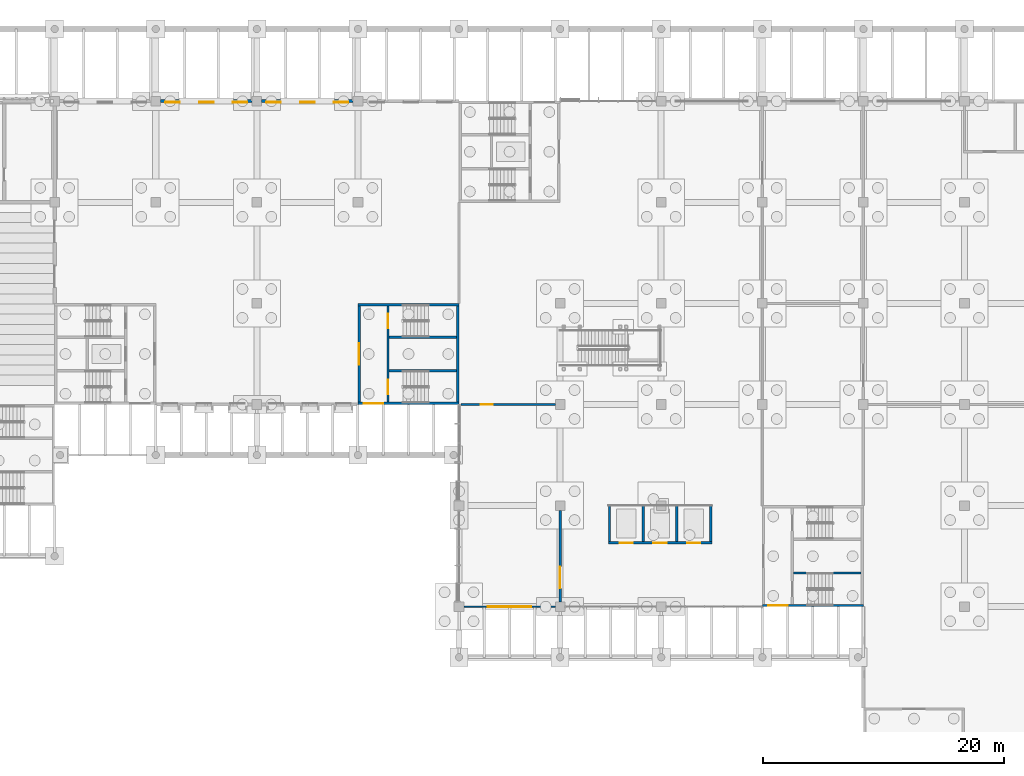
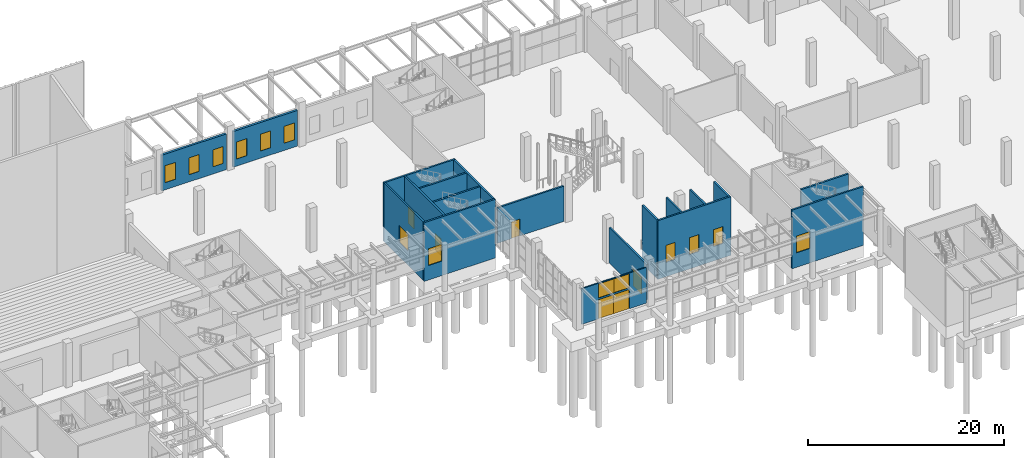
# One storey, part 36 of 82: 19 walls, 12 doors, 8 windows, 20 openings.
"""IFC4 building model written with IfcOpenShell, lengths in metres."""

from ifc_helpers import new_model, si_unit, direction, frame, frame_2d, origin, place, context, subcontext, project, spatial, rectangle, extrude, material, layer, layer_set, type_object, element, fill, save


model = new_model("IFC4")

# Units and contexts
model_context = context("Model", 3, precision=1e-05, world=origin(), true_north=direction((0.0, 1.0)))
body_context = subcontext(model_context, "Body", "Model", "MODEL_VIEW")
ifc_project = project(units=[si_unit("LENGTHUNIT", "METRE"), si_unit("AREAUNIT", "SQUARE_METRE"), si_unit("VOLUMEUNIT", "CUBIC_METRE"), si_unit("PLANEANGLEUNIT", "RADIAN"), si_unit("MASSUNIT", "GRAM", prefix="KILO")], contexts=[model_context])

# Site, building, storey
site_placement = place(None, origin())
site = spatial("IfcSite", under=ifc_project, at=site_placement, CompositionType="ELEMENT")
building_placement = place(site_placement, origin())
building = spatial("IfcBuilding", under=site, at=building_placement, Name="Almond Square Museum", CompositionType="ELEMENT")
storey_placement = place(building_placement, origin())
storey = spatial("IfcBuildingStorey", under=building, at=storey_placement, Name="L00", CompositionType="ELEMENT", Elevation=0.0)

# Wall, opening, door
ifc_material_1 = material(Name="Concrete blockwork 200", Category="masonry")
ifc_layer_1 = layer(ifc_material_1, 0.199951171875)
ifc_layer_set_1 = layer_set([ifc_layer_1], Name="Concrete blockwork 200")
wall_type_1 = type_object("IfcWallType", Name="Fire partition 200 blockwork", PredefinedType="PARTITIONING", material=ifc_layer_set_1)
wall_1_placement = place(storey_placement, frame((73.35009765625, 84.0, 0.0), z_axis=(0.0, 0.0, 1.0), x_axis=(1.0, 0.0, 0.0)))
wall_1 = element("IfcWall", 1, at=wall_1_placement, inside=storey, type_object=wall_type_1, Name="L00 partition 31", PredefinedType="PARTITIONING", context=body_context, shape_type="SweptSolid", body=[
    extrude(rectangle(XDim=7.849853515625, YDim=0.199951171875, at=frame_2d((3.9248046875, 0.0))), origin(), (0.0, 0.0, 1.0), 4.39990234375),
])
opening_1_placement = place(wall_1_placement, frame((1.64990234375, 0.0, 0.0)))
opening_1 = element("IfcOpeningElement", 2, at=opening_1_placement, cuts=wall_1, Name="Opening D0108", PredefinedType="OPENING", context=body_context, shape_type="SweptSolid", body=[
    extrude(rectangle(XDim=1.0, YDim=2.10009765625, at=frame_2d((0.5, 1.050048828125))), frame((0.0, 0.10986328125, 0.0), z_axis=(0.0, -1.0, 0.0), x_axis=(1.0, 0.0, 0.0)), (0.0, 0.0, 1.0), 0.219970703125),
])
ifc_material_2 = material(Name="Steel", Category="steel")
door_type_1 = type_object("IfcDoorType", Name="Fire door 1000 x 2100 FD60 single", OperationType="NOTDEFINED", PredefinedType="DOOR", material=ifc_material_2)
door_1_placement = place(opening_1_placement, origin())
door_1 = element("IfcDoor", 3, at=door_1_placement, inside=storey, type_object=door_type_1, Name="L00 door Cafe Kitchen to Cafe", OperationType="SINGLE_SWING_LEFT", OverallHeight=2.10009765625, OverallWidth=1.0, PredefinedType="DOOR", context=body_context, shape_type="SweptSolid", body=[
    extrude(rectangle(XDim=1.0, YDim=2.10009765625, at=frame_2d((0.5, 1.050048828125))), frame((0.0, 0.02490234375, 0.0), z_axis=(0.0, -1.0, 0.0), x_axis=(1.0, 0.0, 0.0)), (0.0, 0.0, 1.0), 0.050048828125),
])
fill(opening_1, door_1)

wall_2_placement = place(storey_placement, frame((81.60009765625, 67.60009765625, 0.0), z_axis=(0.0, 0.0, 1.0), x_axis=(0.0, 1.0, 0.0)))
wall_2 = element("IfcWall", 4, at=wall_2_placement, inside=storey, type_object=wall_type_1, Name="L00 partition 35", PredefinedType="PARTITIONING", context=body_context, shape_type="SweptSolid", body=[
    extrude(rectangle(XDim=7.599853515625, YDim=0.199951171875, at=frame_2d((3.7998046875, 0.0))), origin(), (0.0, 0.0, 1.0), 4.39990234375),
])
opening_2_placement = place(wall_2_placement, frame((1.125, 0.0, 0.0)))
opening_2 = element("IfcOpeningElement", 5, at=opening_2_placement, cuts=wall_2, Name="Opening D0110", PredefinedType="OPENING", context=body_context, shape_type="SweptSolid", body=[
    extrude(rectangle(XDim=1.800048828125, YDim=2.10009765625, at=frame_2d((0.89990234375, 1.050048828125))), frame((0.0, 0.10986328125, 0.0), z_axis=(0.0, -1.0, 0.0), x_axis=(1.0, 0.0, 0.0)), (0.0, 0.0, 1.0), 0.219970703125),
])
ifc_material_3 = material(Name="Steel", Category="steel")
door_type_2 = type_object("IfcDoorType", Name="Fire door 1800 x 2100 FD60 double", OperationType="NOTDEFINED", PredefinedType="DOOR", material=ifc_material_3)
door_2_placement = place(opening_2_placement, origin())
door_2 = element("IfcDoor", 6, at=door_2_placement, inside=storey, type_object=door_type_2, Name="L00 door Cafe to Atrium Lobby 2", OperationType="DOUBLE_DOOR_SINGLE_SWING", OverallHeight=2.10009765625, OverallWidth=1.800048828125, PredefinedType="DOOR", context=body_context, shape_type="SweptSolid", body=[
    extrude(rectangle(XDim=1.800048828125, YDim=2.10009765625, at=frame_2d((0.89990234375, 1.050048828125))), frame((0.0, 0.02490234375, 0.0), z_axis=(0.0, -1.0, 0.0), x_axis=(1.0, 0.0, 0.0)), (0.0, 0.0, 1.0), 0.050048828125),
])
fill(opening_2, door_2)

# Wall, openings, windows, doors
ifc_material_4 = material(Name="Aluminium and laminated glass", Category="aluminium")
ifc_layer_2 = layer(ifc_material_4, 0.14990234375)
ifc_layer_set_2 = layer_set([ifc_layer_2], Name="Aluminium and laminated glass")
wall_type_2 = type_object("IfcWallType", Name="Glazed entrance screen 150", PredefinedType="ELEMENTEDWALL", material=ifc_layer_set_2)
wall_3_placement = place(storey_placement, frame((73.60009765625, 67.199951171875, 0.0), z_axis=(0.0, 0.0, 1.0), x_axis=(1.0, 0.0, 0.0)))
wall_3 = element("IfcWall", 7, at=wall_3_placement, inside=storey, type_object=wall_type_2, Name="External wall W6 V2 L00 S01", PredefinedType="ELEMENTEDWALL", context=body_context, shape_type="SweptSolid", body=[
    extrude(rectangle(XDim=7.599853515625, YDim=0.14990234375, at=frame_2d((3.7998046875, 0.0))), origin(), (0.0, 0.0, 1.0), 4.43994140625),
])
opening_3_placement = place(wall_3_placement, frame((2.0, 0.0, 0.0)))
opening_3 = element("IfcOpeningElement", 8, at=opening_3_placement, cuts=wall_3, Name="Opening D008", PredefinedType="OPENING", context=body_context, shape_type="SweptSolid", body=[
    extrude(rectangle(XDim=1.800048828125, YDim=2.39990234375, at=frame_2d((0.89990234375, 1.199951171875))), frame((0.0, 0.0849609375, 0.0), z_axis=(0.0, -1.0, 0.0), x_axis=(1.0, 0.0, 0.0)), (0.0, 0.0, 1.0), 0.169921875),
])
opening_4_placement = place(wall_3_placement, frame((2.0, 0.0, 2.60009765625)))
opening_4 = element("IfcOpeningElement", 9, at=opening_4_placement, cuts=wall_3, Name="Opening W0057", PredefinedType="OPENING", context=body_context, shape_type="SweptSolid", body=[
    extrude(rectangle(XDim=1.800048828125, YDim=1.739990234375, at=frame_2d((0.89990234375, 0.8701171875))), frame((0.0, 0.0849609375, 0.0), z_axis=(0.0, -1.0, 0.0), x_axis=(1.0, 0.0, 0.0)), (0.0, 0.0, 1.0), 0.169921875),
])
opening_5_placement = place(wall_3_placement, frame((3.800048828125, 0.0, 0.0)))
opening_5 = element("IfcOpeningElement", 10, at=opening_5_placement, cuts=wall_3, Name="Opening D009", PredefinedType="OPENING", context=body_context, shape_type="SweptSolid", body=[
    extrude(rectangle(XDim=1.800048828125, YDim=2.39990234375, at=frame_2d((0.89990234375, 1.199951171875))), frame((0.0, 0.0849609375, 0.0), z_axis=(0.0, -1.0, 0.0), x_axis=(1.0, 0.0, 0.0)), (0.0, 0.0, 1.0), 0.169921875),
])
opening_6_placement = place(wall_3_placement, frame((3.800048828125, 0.0, 2.60009765625)))
opening_6 = element("IfcOpeningElement", 11, at=opening_6_placement, cuts=wall_3, Name="Opening W0058", PredefinedType="OPENING", context=body_context, shape_type="SweptSolid", body=[
    extrude(rectangle(XDim=1.800048828125, YDim=1.739990234375, at=frame_2d((0.89990234375, 0.8701171875))), frame((0.0, 0.0849609375, 0.0), z_axis=(0.0, -1.0, 0.0), x_axis=(1.0, 0.0, 0.0)), (0.0, 0.0, 1.0), 0.169921875),
])
ifc_material_5 = material(Name="Aluminium frame and laminated glass", Category="aluminium")
window_type_1 = type_object("IfcWindowType", Name="Entrance fanlight 1740 high", PartitioningType="SINGLE_PANEL", PredefinedType="WINDOW", material=ifc_material_5)
window_1_placement = place(opening_4_placement, origin())
window_1 = element("IfcWindow", 12, at=window_1_placement, inside=storey, type_object=window_type_1, Name="Entrance fanlight W0057", OverallHeight=1.739990234375, OverallWidth=1.800048828125, PartitioningType="SINGLE_PANEL", PredefinedType="WINDOW", context=body_context, shape_type="SweptSolid", body=[
    extrude(rectangle(XDim=1.800048828125, YDim=1.739990234375, at=frame_2d((0.89990234375, 0.8701171875))), frame((0.0, 0.030029296875, 0.0), z_axis=(0.0, -1.0, 0.0), x_axis=(1.0, 0.0, 0.0)), (0.0, 0.0, 1.0), 0.06005859375),
])
fill(opening_4, window_1)
window_2_placement = place(opening_6_placement, origin())
window_2 = element("IfcWindow", 13, at=window_2_placement, inside=storey, type_object=window_type_1, Name="Entrance fanlight W0058", OverallHeight=1.739990234375, OverallWidth=1.800048828125, PartitioningType="SINGLE_PANEL", PredefinedType="WINDOW", context=body_context, shape_type="SweptSolid", body=[
    extrude(rectangle(XDim=1.800048828125, YDim=1.739990234375, at=frame_2d((0.89990234375, 0.8701171875))), frame((0.0, 0.030029296875, 0.0), z_axis=(0.0, -1.0, 0.0), x_axis=(1.0, 0.0, 0.0)), (0.0, 0.0, 1.0), 0.06005859375),
])
fill(opening_6, window_2)
ifc_material_6 = material(Name="Aluminium frame and laminated glass", Category="aluminium")
door_type_3 = type_object("IfcDoorType", Name="Glazed entrance door pair 1800 x 2400", OperationType="NOTDEFINED", PredefinedType="DOOR", material=ifc_material_6)
door_3_placement = place(opening_3_placement, origin())
door_3 = element("IfcDoor", 14, at=door_3_placement, inside=storey, type_object=door_type_3, Name="Court Cafe Entrance door D008", OperationType="DOUBLE_DOOR_SINGLE_SWING", OverallHeight=2.39990234375, OverallWidth=1.800048828125, PredefinedType="DOOR", context=body_context, shape_type="SweptSolid", body=[
    extrude(rectangle(XDim=1.800048828125, YDim=2.39990234375, at=frame_2d((0.89990234375, 1.199951171875))), frame((0.0, 0.02490234375, 0.0), z_axis=(0.0, -1.0, 0.0), x_axis=(1.0, 0.0, 0.0)), (0.0, 0.0, 1.0), 0.050048828125),
])
fill(opening_3, door_3)
door_4_placement = place(opening_5_placement, origin())
door_4 = element("IfcDoor", 15, at=door_4_placement, inside=storey, type_object=door_type_3, Name="Court Cafe Entrance door D009", OperationType="DOUBLE_DOOR_SINGLE_SWING", OverallHeight=2.39990234375, OverallWidth=1.800048828125, PredefinedType="DOOR", context=body_context, shape_type="SweptSolid", body=[
    extrude(rectangle(XDim=1.800048828125, YDim=2.39990234375, at=frame_2d((0.89990234375, 1.199951171875))), frame((0.0, 0.02490234375, 0.0), z_axis=(0.0, -1.0, 0.0), x_axis=(1.0, 0.0, 0.0)), (0.0, 0.0, 1.0), 0.050048828125),
])
fill(opening_5, door_4)

# Wall, openings, windows
ifc_material_7 = material(Name="Precast concrete C40/50", Category="concrete")
ifc_layer_3 = layer(ifc_material_7, 0.25)
ifc_layer_set_3 = layer_set([ifc_layer_3], Name="Precast concrete C40/50")
wall_type_3 = type_object("IfcWallType", Name="Precast concrete panel wall 250 with coral limestone piers", PredefinedType="SOLIDWALL", material=ifc_layer_set_3)
wall_4_placement = place(storey_placement, frame((56.800048828125, 109.199951171875, 0.0), z_axis=(0.0, 0.0, 1.0), x_axis=(1.0, 0.0, 0.0)))
wall_4 = element("IfcWall", 16, at=wall_4_placement, inside=storey, type_object=wall_type_3, Name="External wall W2 V4N L00 N02", PredefinedType="SOLIDWALL", context=body_context, shape_type="SweptSolid", body=[
    extrude(rectangle(XDim=7.599853515625, YDim=0.25, at=frame_2d((3.7998046875, 0.0))), origin(), (0.0, 0.0, 1.0), 4.43994140625),
])
opening_7_placement = place(wall_4_placement, frame((0.39990234375, 0.0, 0.89990234375)))
opening_7 = element("IfcOpeningElement", 17, at=opening_7_placement, cuts=wall_4, Name="Opening W0106", PredefinedType="OPENING", context=body_context, shape_type="SweptSolid", body=[
    extrude(rectangle(XDim=1.199951171875, YDim=2.10009765625, at=frame_2d((0.60009765625, 1.050048828125))), frame((0.0, 0.135009765625, 0.0), z_axis=(0.0, -1.0, 0.0), x_axis=(1.0, 0.0, 0.0)), (0.0, 0.0, 1.0), 0.27001953125),
])
opening_8_placement = place(wall_4_placement, frame((3.199951171875, 0.0, 0.89990234375)))
opening_8 = element("IfcOpeningElement", 18, at=opening_8_placement, cuts=wall_4, Name="Opening W0107", PredefinedType="OPENING", context=body_context, shape_type="SweptSolid", body=[
    extrude(rectangle(XDim=1.199951171875, YDim=2.10009765625, at=frame_2d((0.60009765625, 1.050048828125))), frame((0.0, 0.135009765625, 0.0), z_axis=(0.0, -1.0, 0.0), x_axis=(1.0, 0.0, 0.0)), (0.0, 0.0, 1.0), 0.27001953125),
])
opening_9_placement = place(wall_4_placement, frame((6.0, 0.0, 0.89990234375)))
opening_9 = element("IfcOpeningElement", 19, at=opening_9_placement, cuts=wall_4, Name="Opening W0108", PredefinedType="OPENING", context=body_context, shape_type="SweptSolid", body=[
    extrude(rectangle(XDim=1.199951171875, YDim=2.10009765625, at=frame_2d((0.60009765625, 1.050048828125))), frame((0.0, 0.135009765625, 0.0), z_axis=(0.0, -1.0, 0.0), x_axis=(1.0, 0.0, 0.0)), (0.0, 0.0, 1.0), 0.27001953125),
])
ifc_material_8 = material(Name="Anodised aluminium louvre and laminated glass", Category="aluminium")
window_type_2 = type_object("IfcWindowType", Name="Louvred pier window", PartitioningType="SINGLE_PANEL", PredefinedType="WINDOW", material=ifc_material_8)
window_3_placement = place(opening_7_placement, origin())
window_3 = element("IfcWindow", 20, at=window_3_placement, inside=storey, type_object=window_type_2, Name="Louvred pier window W0106", OverallHeight=2.10009765625, OverallWidth=1.199951171875, PartitioningType="SINGLE_PANEL", PredefinedType="WINDOW", context=body_context, shape_type="SweptSolid", body=[
    extrude(rectangle(XDim=1.199951171875, YDim=2.10009765625, at=frame_2d((0.60009765625, 1.050048828125))), frame((0.0, -0.044921875, 0.0), z_axis=(0.0, -1.0, 0.0), x_axis=(1.0, 0.0, 0.0)), (0.0, 0.0, 1.0), 0.06005859375),
])
fill(opening_7, window_3)
window_4_placement = place(opening_8_placement, origin())
window_4 = element("IfcWindow", 21, at=window_4_placement, inside=storey, type_object=window_type_2, Name="Louvred pier window W0107", OverallHeight=2.10009765625, OverallWidth=1.199951171875, PartitioningType="SINGLE_PANEL", PredefinedType="WINDOW", context=body_context, shape_type="SweptSolid", body=[
    extrude(rectangle(XDim=1.199951171875, YDim=2.10009765625, at=frame_2d((0.60009765625, 1.050048828125))), frame((0.0, -0.044921875, 0.0), z_axis=(0.0, -1.0, 0.0), x_axis=(1.0, 0.0, 0.0)), (0.0, 0.0, 1.0), 0.06005859375),
])
fill(opening_8, window_4)
window_5_placement = place(opening_9_placement, origin())
window_5 = element("IfcWindow", 22, at=window_5_placement, inside=storey, type_object=window_type_2, Name="Louvred pier window W0108", OverallHeight=2.10009765625, OverallWidth=1.199951171875, PartitioningType="SINGLE_PANEL", PredefinedType="WINDOW", context=body_context, shape_type="SweptSolid", body=[
    extrude(rectangle(XDim=1.199951171875, YDim=2.10009765625, at=frame_2d((0.60009765625, 1.050048828125))), frame((0.0, -0.044921875, 0.0), z_axis=(0.0, -1.0, 0.0), x_axis=(1.0, 0.0, 0.0)), (0.0, 0.0, 1.0), 0.06005859375),
])
fill(opening_9, window_5)

wall_5_placement = place(storey_placement, frame((48.39990234375, 109.199951171875, 0.0), z_axis=(0.0, 0.0, 1.0), x_axis=(1.0, 0.0, 0.0)))
wall_5 = element("IfcWall", 23, at=wall_5_placement, inside=storey, type_object=wall_type_3, Name="External wall W2 V4N L00 N03", PredefinedType="SOLIDWALL", context=body_context, shape_type="SweptSolid", body=[
    extrude(rectangle(XDim=7.60009765625, YDim=0.25, at=frame_2d((3.800048828125, 0.0))), origin(), (0.0, 0.0, 1.0), 4.43994140625),
])
opening_10_placement = place(wall_5_placement, frame((0.39990234375, 0.0, 0.89990234375)))
opening_10 = element("IfcOpeningElement", 24, at=opening_10_placement, cuts=wall_5, Name="Opening W0109", PredefinedType="OPENING", context=body_context, shape_type="SweptSolid", body=[
    extrude(rectangle(XDim=1.199951171875, YDim=2.10009765625, at=frame_2d((0.60009765625, 1.050048828125))), frame((0.0, 0.135009765625, 0.0), z_axis=(0.0, -1.0, 0.0), x_axis=(1.0, 0.0, 0.0)), (0.0, 0.0, 1.0), 0.27001953125),
])
opening_11_placement = place(wall_5_placement, frame((3.199951171875, 0.0, 0.89990234375)))
opening_11 = element("IfcOpeningElement", 25, at=opening_11_placement, cuts=wall_5, Name="Opening W0110", PredefinedType="OPENING", context=body_context, shape_type="SweptSolid", body=[
    extrude(rectangle(XDim=1.199951171875, YDim=2.10009765625, at=frame_2d((0.60009765625, 1.050048828125))), frame((0.0, 0.135009765625, 0.0), z_axis=(0.0, -1.0, 0.0), x_axis=(1.0, 0.0, 0.0)), (0.0, 0.0, 1.0), 0.27001953125),
])
opening_12_placement = place(wall_5_placement, frame((6.0, 0.0, 0.89990234375)))
opening_12 = element("IfcOpeningElement", 26, at=opening_12_placement, cuts=wall_5, Name="Opening W0111", PredefinedType="OPENING", context=body_context, shape_type="SweptSolid", body=[
    extrude(rectangle(XDim=1.199951171875, YDim=2.10009765625, at=frame_2d((0.60009765625, 1.050048828125))), frame((0.0, 0.135009765625, 0.0), z_axis=(0.0, -1.0, 0.0), x_axis=(1.0, 0.0, 0.0)), (0.0, 0.0, 1.0), 0.27001953125),
])
window_6_placement = place(opening_10_placement, origin())
window_6 = element("IfcWindow", 27, at=window_6_placement, inside=storey, type_object=window_type_2, Name="Louvred pier window W0109", OverallHeight=2.10009765625, OverallWidth=1.199951171875, PartitioningType="SINGLE_PANEL", PredefinedType="WINDOW", context=body_context, shape_type="SweptSolid", body=[
    extrude(rectangle(XDim=1.199951171875, YDim=2.10009765625, at=frame_2d((0.60009765625, 1.050048828125))), frame((0.0, -0.044921875, 0.0), z_axis=(0.0, -1.0, 0.0), x_axis=(1.0, 0.0, 0.0)), (0.0, 0.0, 1.0), 0.06005859375),
])
fill(opening_10, window_6)
window_7_placement = place(opening_11_placement, origin())
window_7 = element("IfcWindow", 28, at=window_7_placement, inside=storey, type_object=window_type_2, Name="Louvred pier window W0110", OverallHeight=2.10009765625, OverallWidth=1.199951171875, PartitioningType="SINGLE_PANEL", PredefinedType="WINDOW", context=body_context, shape_type="SweptSolid", body=[
    extrude(rectangle(XDim=1.199951171875, YDim=2.10009765625, at=frame_2d((0.60009765625, 1.050048828125))), frame((0.0, -0.044921875, 0.0), z_axis=(0.0, -1.0, 0.0), x_axis=(1.0, 0.0, 0.0)), (0.0, 0.0, 1.0), 0.06005859375),
])
fill(opening_11, window_7)
window_8_placement = place(opening_12_placement, origin())
window_8 = element("IfcWindow", 29, at=window_8_placement, inside=storey, type_object=window_type_2, Name="Louvred pier window W0111", OverallHeight=2.10009765625, OverallWidth=1.199951171875, PartitioningType="SINGLE_PANEL", PredefinedType="WINDOW", context=body_context, shape_type="SweptSolid", body=[
    extrude(rectangle(XDim=1.199951171875, YDim=2.10009765625, at=frame_2d((0.60009765625, 1.050048828125))), frame((0.0, -0.044921875, 0.0), z_axis=(0.0, -1.0, 0.0), x_axis=(1.0, 0.0, 0.0)), (0.0, 0.0, 1.0), 0.06005859375),
])
fill(opening_12, window_8)

# Wall, opening, door
ifc_material_9 = material(Name="Concrete C40/50", Category="concrete")
ifc_layer_4 = layer(ifc_material_9, 0.199951171875)
ifc_layer_set_4 = layer_set([ifc_layer_4], Name="Concrete C40/50")
wall_type_4 = type_object("IfcWallType", Name="RC shear wall 200 C40/50", PredefinedType="SHEAR", material=ifc_layer_set_4)
wall_6_placement = place(storey_placement, frame((106.800048828125, 67.300048828125, -1.800048828125), z_axis=(0.0, 0.0, 1.0), x_axis=(-1.0, 0.0, 0.0)))
wall_6 = element("IfcWall", 30, at=wall_6_placement, inside=storey, type_object=wall_type_4, Name="Core A2 south wall L00", PredefinedType="SHEAR", context=body_context, shape_type="SweptSolid", body=[
    extrude(rectangle(XDim=8.400146484375, YDim=0.199951171875, at=frame_2d((4.2001953125, 0.0))), origin(), (0.0, 0.0, 1.0), 7.300048828125),
])
opening_13_placement = place(wall_6_placement, frame((6.300048828125, 0.0, 1.800048828125)))
opening_13 = element("IfcOpeningElement", 31, at=opening_13_placement, cuts=wall_6, Name="Opening D023", PredefinedType="OPENING", context=body_context, shape_type="SweptSolid", body=[
    extrude(rectangle(XDim=1.60009765625, YDim=2.10009765625, at=frame_2d((0.800048828125, 1.050048828125))), frame((0.0, 0.10986328125, 0.0), z_axis=(0.0, -1.0, 0.0), x_axis=(1.0, 0.0, 0.0)), (0.0, 0.0, 1.0), 0.219970703125),
])
ifc_material_10 = material(Name="Steel frame and steel leaf", Category="steel")
door_type_4 = type_object("IfcDoorType", Name="Stair exit door pair 1600 x 2100", OperationType="NOTDEFINED", PredefinedType="DOOR", material=ifc_material_10)
door_5_placement = place(opening_13_placement, origin())
door_5 = element("IfcDoor", 32, at=door_5_placement, inside=storey, type_object=door_type_4, Name="Stair Exit A2 door D023", OperationType="DOUBLE_DOOR_SINGLE_SWING", OverallHeight=2.10009765625, OverallWidth=1.60009765625, PredefinedType="DOOR", context=body_context, shape_type="SweptSolid", body=[
    extrude(rectangle(XDim=1.60009765625, YDim=2.10009765625, at=frame_2d((0.800048828125, 1.050048828125))), frame((0.0, 0.02490234375, 0.0), z_axis=(0.0, -1.0, 0.0), x_axis=(1.0, 0.0, 0.0)), (0.0, 0.0, 1.0), 0.050048828125),
])
fill(opening_13, door_5)

# Wall
wall_7_placement = place(storey_placement, frame((101.0, 70.0, -1.800048828125), z_axis=(0.0, 0.0, 1.0), x_axis=(1.0, 0.0, 0.0)))
element("IfcWall", 33, at=wall_7_placement, inside=storey, type_object=wall_type_4, Name="Core A2 partition wall L00", PredefinedType="SHEAR", context=body_context, shape_type="SweptSolid", body=[
    extrude(rectangle(XDim=5.60009765625, YDim=0.199951171875, at=frame_2d((2.800048828125, 0.0))), origin(), (0.0, 0.0, 1.0), 7.300048828125),
])

# Wall, opening, door
wall_8_placement = place(storey_placement, frame((73.199951171875, 84.10009765625, -1.800048828125), z_axis=(0.0, 0.0, 1.0), x_axis=(-1.0, 0.0, 0.0)))
wall_8 = element("IfcWall", 34, at=wall_8_placement, inside=storey, type_object=wall_type_4, Name="Core N2 south wall L00", PredefinedType="SHEAR", context=body_context, shape_type="SweptSolid", body=[
    extrude(rectangle(XDim=8.39990234375, YDim=0.199951171875, at=frame_2d((4.199951171875, 0.0))), origin(), (0.0, 0.0, 1.0), 7.300048828125),
])
opening_14_placement = place(wall_8_placement, frame((6.300048828125, 0.0, 1.800048828125)))
opening_14 = element("IfcOpeningElement", 35, at=opening_14_placement, cuts=wall_8, Name="Opening D027", PredefinedType="OPENING", context=body_context, shape_type="SweptSolid", body=[
    extrude(rectangle(XDim=1.60009765625, YDim=2.10009765625, at=frame_2d((0.800048828125, 1.050048828125))), frame((0.0, 0.10986328125, 0.0), z_axis=(0.0, -1.0, 0.0), x_axis=(1.0, 0.0, 0.0)), (0.0, 0.0, 1.0), 0.219970703125),
])
door_6_placement = place(opening_14_placement, origin())
door_6 = element("IfcDoor", 36, at=door_6_placement, inside=storey, type_object=door_type_4, Name="Stair Exit N2 door D027", OperationType="DOUBLE_DOOR_SINGLE_SWING", OverallHeight=2.10009765625, OverallWidth=1.60009765625, PredefinedType="DOOR", context=body_context, shape_type="SweptSolid", body=[
    extrude(rectangle(XDim=1.60009765625, YDim=2.10009765625, at=frame_2d((0.800048828125, 1.050048828125))), frame((0.0, 0.02490234375, 0.0), z_axis=(0.0, -1.0, 0.0), x_axis=(1.0, 0.0, 0.0)), (0.0, 0.0, 1.0), 0.050048828125),
])
fill(opening_14, door_6)

# Wall
wall_9_placement = place(storey_placement, frame((64.800048828125, 92.300048828125, -1.800048828125), z_axis=(0.0, 0.0, 1.0), x_axis=(1.0, 0.0, 0.0)))
element("IfcWall", 37, at=wall_9_placement, inside=storey, type_object=wall_type_4, Name="Core N2 north wall L00", PredefinedType="SHEAR", context=body_context, shape_type="SweptSolid", body=[
    extrude(rectangle(XDim=8.39990234375, YDim=0.199951171875, at=frame_2d((4.199951171875, 0.0))), origin(), (0.0, 0.0, 1.0), 7.300048828125),
])

# Wall, opening, door
wall_10_placement = place(storey_placement, frame((64.89990234375, 84.199951171875, -1.800048828125), z_axis=(0.0, 0.0, 1.0), x_axis=(0.0, 1.0, 0.0)))
wall_10 = element("IfcWall", 38, at=wall_10_placement, inside=storey, type_object=wall_type_4, Name="Core N2 west wall L00", PredefinedType="SHEAR", context=body_context, shape_type="SweptSolid", body=[
    extrude(rectangle(XDim=8.0, YDim=0.199951171875, at=frame_2d((4.0, 0.0))), origin(), (0.0, 0.0, 1.0), 7.300048828125),
])
opening_15_placement = place(wall_10_placement, frame((3.10009765625, 0.0, 1.800048828125)))
opening_15 = element("IfcOpeningElement", 39, at=opening_15_placement, cuts=wall_10, Name="Opening D0189", PredefinedType="OPENING", context=body_context, shape_type="SweptSolid", body=[
    extrude(rectangle(XDim=1.800048828125, YDim=2.10009765625, at=frame_2d((0.89990234375, 1.050048828125))), frame((0.0, 0.10986328125, 0.0), z_axis=(0.0, -1.0, 0.0), x_axis=(1.0, 0.0, 0.0)), (0.0, 0.0, 1.0), 0.219970703125),
])
door_7_placement = place(opening_15_placement, origin())
door_7 = element("IfcDoor", 40, at=door_7_placement, inside=storey, type_object=door_type_2, Name="L00 stair core N2 lobby door", OperationType="DOUBLE_DOOR_SINGLE_SWING", OverallHeight=2.10009765625, OverallWidth=1.800048828125, PredefinedType="DOOR", context=body_context, shape_type="SweptSolid", body=[
    extrude(rectangle(XDim=1.800048828125, YDim=2.10009765625, at=frame_2d((0.89990234375, 1.050048828125))), frame((0.0, 0.02490234375, 0.0), z_axis=(0.0, -1.0, 0.0), x_axis=(1.0, 0.0, 0.0)), (0.0, 0.0, 1.0), 0.050048828125),
])
fill(opening_15, door_7)

# Wall
wall_11_placement = place(storey_placement, frame((73.10009765625, 84.199951171875, -1.800048828125), z_axis=(0.0, 0.0, 1.0), x_axis=(0.0, 1.0, 0.0)))
element("IfcWall", 41, at=wall_11_placement, inside=storey, type_object=wall_type_4, Name="Core N2 east wall L00", PredefinedType="SHEAR", context=body_context, shape_type="SweptSolid", body=[
    extrude(rectangle(XDim=8.0, YDim=0.199951171875, at=frame_2d((4.0, 0.0))), origin(), (0.0, 0.0, 1.0), 7.300048828125),
])

# Wall, openings, doors
wall_12_placement = place(storey_placement, frame((67.300048828125, 84.199951171875, -1.800048828125), z_axis=(0.0, 0.0, 1.0), x_axis=(0.0, 1.0, 0.0)))
wall_12 = element("IfcWall", 42, at=wall_12_placement, inside=storey, type_object=wall_type_4, Name="Core N2 lobby wall L00", PredefinedType="SHEAR", context=body_context, shape_type="SweptSolid", body=[
    extrude(rectangle(XDim=8.0, YDim=0.199951171875, at=frame_2d((4.0, 0.0))), origin(), (0.0, 0.0, 1.0), 7.300048828125),
])
opening_16_placement = place(wall_12_placement, frame((0.64990234375, 0.0, 1.800048828125)))
opening_16 = element("IfcOpeningElement", 43, at=opening_16_placement, cuts=wall_12, Name="Opening D0190", PredefinedType="OPENING", context=body_context, shape_type="SweptSolid", body=[
    extrude(rectangle(XDim=1.199951171875, YDim=2.10009765625, at=frame_2d((0.60009765625, 1.050048828125))), frame((0.0, 0.10986328125, 0.0), z_axis=(0.0, -1.0, 0.0), x_axis=(1.0, 0.0, 0.0)), (0.0, 0.0, 1.0), 0.219970703125),
])
opening_17_placement = place(wall_12_placement, frame((6.14990234375, 0.0, 1.800048828125)))
opening_17 = element("IfcOpeningElement", 44, at=opening_17_placement, cuts=wall_12, Name="Opening D0191", PredefinedType="OPENING", context=body_context, shape_type="SweptSolid", body=[
    extrude(rectangle(XDim=1.199951171875, YDim=2.10009765625, at=frame_2d((0.60009765625, 1.050048828125))), frame((0.0, 0.10986328125, 0.0), z_axis=(0.0, -1.0, 0.0), x_axis=(1.0, 0.0, 0.0)), (0.0, 0.0, 1.0), 0.219970703125),
])
ifc_material_11 = material(Name="Steel", Category="steel")
door_type_5 = type_object("IfcDoorType", Name="Fire door 1200 x 2100 FD120 stair", OperationType="NOTDEFINED", PredefinedType="DOOR", material=ifc_material_11)
door_8_placement = place(opening_16_placement, origin())
door_8 = element("IfcDoor", 45, at=door_8_placement, inside=storey, type_object=door_type_5, Name="L00 stair N2-1 door", OperationType="SINGLE_SWING_LEFT", OverallHeight=2.10009765625, OverallWidth=1.199951171875, PredefinedType="DOOR", context=body_context, shape_type="SweptSolid", body=[
    extrude(rectangle(XDim=1.199951171875, YDim=2.10009765625, at=frame_2d((0.60009765625, 1.050048828125))), frame((0.0, 0.02490234375, 0.0), z_axis=(0.0, -1.0, 0.0), x_axis=(1.0, 0.0, 0.0)), (0.0, 0.0, 1.0), 0.050048828125),
])
fill(opening_16, door_8)
door_9_placement = place(opening_17_placement, origin())
door_9 = element("IfcDoor", 46, at=door_9_placement, inside=storey, type_object=door_type_5, Name="L00 stair N2-2 door", OperationType="SINGLE_SWING_RIGHT", OverallHeight=2.10009765625, OverallWidth=1.199951171875, PredefinedType="DOOR", context=body_context, shape_type="SweptSolid", body=[
    extrude(rectangle(XDim=1.199951171875, YDim=2.10009765625, at=frame_2d((0.60009765625, 1.050048828125))), frame((0.0, 0.02490234375, 0.0), z_axis=(0.0, -1.0, 0.0), x_axis=(1.0, 0.0, 0.0)), (0.0, 0.0, 1.0), 0.050048828125),
])
fill(opening_17, door_9)

# Walls
for number, where, z_axis, x_axis, name in (
    (47, (67.39990234375, 86.800048828125, -1.800048828125), (0.0, 0.0, 1.0), (1.0, 0.0, 0.0), "Core N2 partition wall L00"),
    (48, (67.39990234375, 89.60009765625, -1.800048828125), (0.0, 0.0, 1.0), (1.0, 0.0, 0.0), "Core N2 partition wall L00"),
):
    element("IfcWall", number, at=place(storey_placement, frame(where, z_axis=z_axis, x_axis=x_axis)), inside=storey, type_object=wall_type_4, Name=name, PredefinedType="SHEAR", context=body_context, shape_type="SweptSolid", body=[
        extrude(rectangle(XDim=5.60009765625, YDim=0.199951171875, at=frame_2d((2.800048828125, 0.0))), origin(), (0.0, 0.0, 1.0), 7.300048828125),
    ])

# Wall, openings, doors
wall_13_placement = place(storey_placement, frame((85.60009765625, 72.5, -1.800048828125), z_axis=(0.0, 0.0, 1.0), x_axis=(1.0, 0.0, 0.0)))
wall_13 = element("IfcWall", 49, at=wall_13_placement, inside=storey, type_object=wall_type_4, Name="Atrium lift shaft south wall L00", PredefinedType="SHEAR", context=body_context, shape_type="SweptSolid", body=[
    extrude(rectangle(XDim=8.599853515625, YDim=0.199951171875, at=frame_2d((4.2998046875, 0.0))), origin(), (0.0, 0.0, 1.0), 7.300048828125),
])
opening_18_placement = place(wall_13_placement, frame((0.949951171875, 0.0, 1.800048828125)))
opening_18 = element("IfcOpeningElement", 50, at=opening_18_placement, cuts=wall_13, Name="Opening D0217", PredefinedType="OPENING", context=body_context, shape_type="SweptSolid", body=[
    extrude(rectangle(XDim=1.10009765625, YDim=2.10009765625, at=frame_2d((0.550048828125, 1.050048828125))), frame((0.0, 0.10986328125, 0.0), z_axis=(0.0, -1.0, 0.0), x_axis=(1.0, 0.0, 0.0)), (0.0, 0.0, 1.0), 0.219970703125),
])
opening_19_placement = place(wall_13_placement, frame((3.75, 0.0, 1.800048828125)))
opening_19 = element("IfcOpeningElement", 51, at=opening_19_placement, cuts=wall_13, Name="Opening D0218", PredefinedType="OPENING", context=body_context, shape_type="SweptSolid", body=[
    extrude(rectangle(XDim=1.10009765625, YDim=2.10009765625, at=frame_2d((0.550048828125, 1.050048828125))), frame((0.0, 0.10986328125, 0.0), z_axis=(0.0, -1.0, 0.0), x_axis=(1.0, 0.0, 0.0)), (0.0, 0.0, 1.0), 0.219970703125),
])
opening_20_placement = place(wall_13_placement, frame((6.550048828125, 0.0, 1.800048828125)))
opening_20 = element("IfcOpeningElement", 52, at=opening_20_placement, cuts=wall_13, Name="Opening D0219", PredefinedType="OPENING", context=body_context, shape_type="SweptSolid", body=[
    extrude(rectangle(XDim=1.10009765625, YDim=2.10009765625, at=frame_2d((0.550048828125, 1.050048828125))), frame((0.0, 0.10986328125, 0.0), z_axis=(0.0, -1.0, 0.0), x_axis=(1.0, 0.0, 0.0)), (0.0, 0.0, 1.0), 0.219970703125),
])
ifc_material_12 = material(Name="Stainless steel", Category="steel")
door_type_6 = type_object("IfcDoorType", Name="Lift landing door 1100 x 2100", OperationType="NOTDEFINED", PredefinedType="DOOR", material=ifc_material_12)
door_10_placement = place(opening_18_placement, origin())
door_10 = element("IfcDoor", 53, at=door_10_placement, inside=storey, type_object=door_type_6, Name="L00 atrium lift AL1 landing door", OperationType="DOUBLE_DOOR_SLIDING", OverallHeight=2.10009765625, OverallWidth=1.10009765625, PredefinedType="DOOR", context=body_context, shape_type="SweptSolid", body=[
    extrude(rectangle(XDim=1.10009765625, YDim=2.10009765625, at=frame_2d((0.550048828125, 1.050048828125))), frame((0.0, 0.02490234375, 0.0), z_axis=(0.0, -1.0, 0.0), x_axis=(1.0, 0.0, 0.0)), (0.0, 0.0, 1.0), 0.050048828125),
])
fill(opening_18, door_10)
door_11_placement = place(opening_19_placement, origin())
door_11 = element("IfcDoor", 54, at=door_11_placement, inside=storey, type_object=door_type_6, Name="L00 atrium lift AL2 landing door", OperationType="DOUBLE_DOOR_SLIDING", OverallHeight=2.10009765625, OverallWidth=1.10009765625, PredefinedType="DOOR", context=body_context, shape_type="SweptSolid", body=[
    extrude(rectangle(XDim=1.10009765625, YDim=2.10009765625, at=frame_2d((0.550048828125, 1.050048828125))), frame((0.0, 0.02490234375, 0.0), z_axis=(0.0, -1.0, 0.0), x_axis=(1.0, 0.0, 0.0)), (0.0, 0.0, 1.0), 0.050048828125),
])
fill(opening_19, door_11)
door_12_placement = place(opening_20_placement, origin())
door_12 = element("IfcDoor", 55, at=door_12_placement, inside=storey, type_object=door_type_6, Name="L00 atrium lift AL3 landing door", OperationType="DOUBLE_DOOR_SLIDING", OverallHeight=2.10009765625, OverallWidth=1.10009765625, PredefinedType="DOOR", context=body_context, shape_type="SweptSolid", body=[
    extrude(rectangle(XDim=1.10009765625, YDim=2.10009765625, at=frame_2d((0.550048828125, 1.050048828125))), frame((0.0, 0.02490234375, 0.0), z_axis=(0.0, -1.0, 0.0), x_axis=(1.0, 0.0, 0.0)), (0.0, 0.0, 1.0), 0.050048828125),
])
fill(opening_20, door_12)

# Walls
for number, where, z_axis, x_axis, name in (
    (56, (85.699951171875, 72.60009765625, -1.800048828125), (0.0, 0.0, 1.0), (0.0, 1.0, 0.0), "Atrium lift shaft west wall L00"),
    (57, (94.10009765625, 72.60009765625, -1.800048828125), (0.0, 0.0, 1.0), (0.0, 1.0, 0.0), "Atrium lift shaft east wall L00"),
    (58, (88.5, 72.60009765625, -1.800048828125), (0.0, 0.0, 1.0), (0.0, 1.0, 0.0), "Atrium lift shaft partition wall L00"),
    (59, (91.300048828125, 72.60009765625, -1.800048828125), (0.0, 0.0, 1.0), (0.0, 1.0, 0.0), "Atrium lift shaft partition wall L00"),
):
    element("IfcWall", number, at=place(storey_placement, frame(where, z_axis=z_axis, x_axis=x_axis)), inside=storey, type_object=wall_type_4, Name=name, PredefinedType="SHEAR", context=body_context, shape_type="SweptSolid", body=[
        extrude(rectangle(XDim=3.0, YDim=0.199951171875, at=frame_2d((1.5, 0.0))), origin(), (0.0, 0.0, 1.0), 7.300048828125),
    ])

save(model, "model.ifc")
